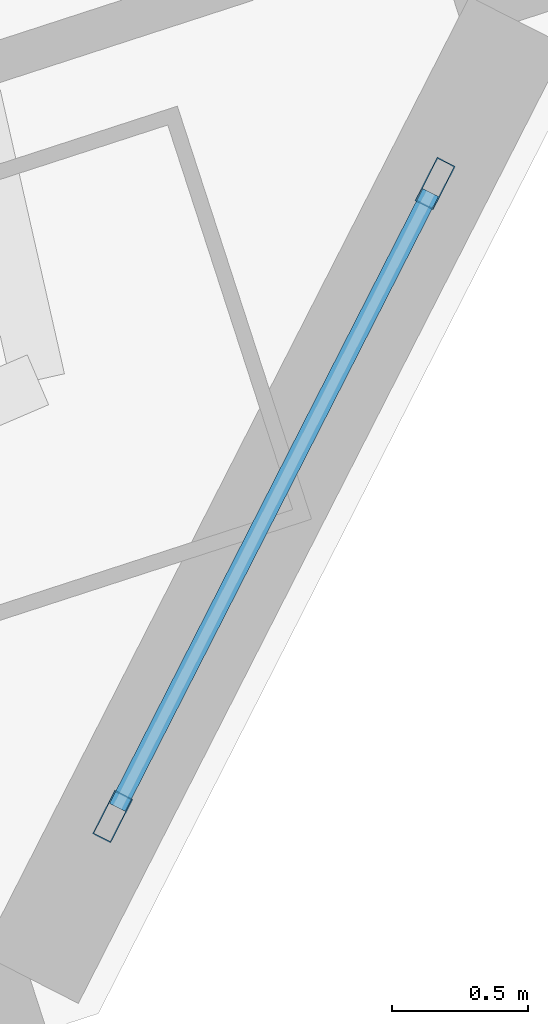
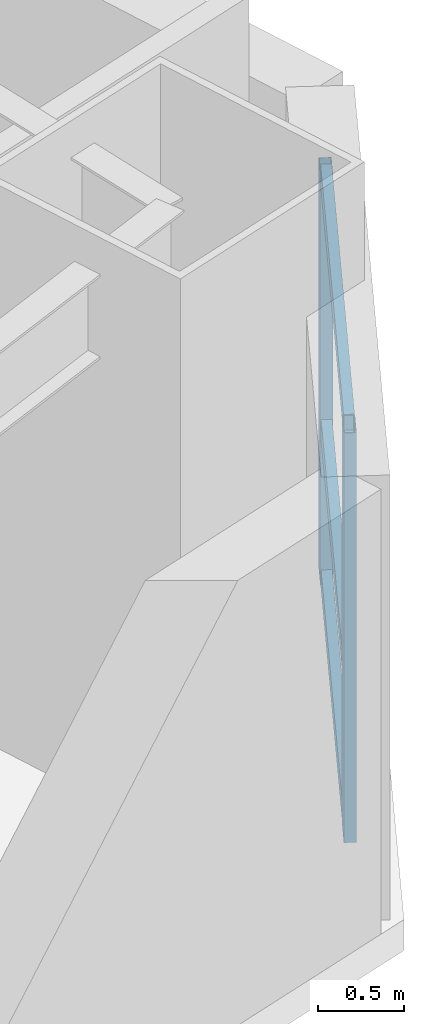
# One storey, part 8 of 24: 5 members, 1 element without a shape of its own.
"""IFC4 building model written with IfcOpenShell, lengths in metres."""

import ifcopenshell
import ifcopenshell.guid

model = None  # the IFC model being written
_history = None  # IfcOwnerHistory: only IFC2X3 demands one
_inside = {}  # id of a spatial element -> (the spatial element, [elements in it])
_under = {}  # id of a project, library or spatial element -> (it, [spatial elements below it])
_declared = {}  # id of a project -> (the project, [libraries it declares])
_typed = {}  # id of a type object -> (the type object, [elements of that type])
_made_of = {}  # id of a material, layer set ... -> (it, [elements and type objects made of it])


def new_model(schema):
    """Start an empty IFC model of exactly this schema.

    Asked for "IFC4X3", IfcOpenShell would pick the latest addendum, in which some entities
    have other attributes; the version numbers below select the first issue.
    IFC2X3 requires an IfcOwnerHistory on every rooted entity: one is made here for all.
    """
    global model, _history
    if schema == "IFC4X3":
        model = ifcopenshell.file(schema_version=(4, 3, 0, 0))
    else:
        model = ifcopenshell.file(schema=schema)
    _inside.clear()
    _under.clear()
    _declared.clear()
    _typed.clear()
    _made_of.clear()
    _history = None
    if model.schema == "IFC2X3":
        org = make("IfcOrganization", Name="unknown")
        user = make(
            "IfcPersonAndOrganization",
            ThePerson=make("IfcPerson", FamilyName="unknown"),
            TheOrganization=org,
        )
        app = make(
            "IfcApplication",
            ApplicationDeveloper=org,
            Version="unknown",
            ApplicationFullName="unknown",
            ApplicationIdentifier="unknown",
        )
        _history = make(
            "IfcOwnerHistory",
            OwningUser=user,
            OwningApplication=app,
            ChangeAction="ADDED",
            CreationDate=0,
        )
    return model


def make(cls, **values):
    """One entity of the class cls with the attributes given. An attribute that is None is left unset."""
    return model.create_entity(
        cls, **{name: value for name, value in values.items() if value is not None}
    )


def rooted(cls, **values):
    """An entity with a GlobalId (a new one), such as an element, a storey or a relation."""
    return make(cls, GlobalId=ifcopenshell.guid.new(), OwnerHistory=_history, **values)


def si_unit(unit_type, name, prefix=None):
    """IfcSIUnit, for example si_unit("LENGTHUNIT", "METRE", prefix="MILLI")."""
    return make("IfcSIUnit", UnitType=unit_type, Prefix=prefix, Name=name)


def assignment(units):
    """IfcUnitAssignment: the units of a project."""
    return None if units is None else make("IfcUnitAssignment", Units=units)


def point(xyz):
    """IfcCartesianPoint."""
    return None if xyz is None else make("IfcCartesianPoint", Coordinates=xyz)


def direction(xyz):
    """IfcDirection."""
    return None if xyz is None else make("IfcDirection", DirectionRatios=xyz)


def frame(location, z_axis=None, x_axis=None):
    """IfcAxis2Placement3D, a coordinate frame: its origin and axes. An axis left out is left unset."""
    return make(
        "IfcAxis2Placement3D",
        Location=point(location),
        Axis=direction(z_axis),
        RefDirection=direction(x_axis),
    )


def frame_2d(location, x_axis=None):
    """IfcAxis2Placement2D, a coordinate frame in the plane: its origin and x axis."""
    return make(
        "IfcAxis2Placement2D", Location=point(location), RefDirection=direction(x_axis)
    )


def origin():
    """The frame at (0, 0, 0) with its axes left unset."""
    return frame((0.0, 0.0, 0.0))


def origin_2d():
    """The frame at (0, 0) in the plane with its x axis left unset."""
    return frame_2d((0.0, 0.0))


def place(relative_to, where):
    """IfcLocalPlacement: puts the frame where relative to a parent placement (None: the world)."""
    return make(
        "IfcLocalPlacement", PlacementRelTo=relative_to, RelativePlacement=where
    )


def context(
    kind, dimensions, precision=None, world=None, true_north=None, identifier=None
):
    """IfcGeometricRepresentationContext, for example the 3D "Model" context."""
    return make(
        "IfcGeometricRepresentationContext",
        ContextIdentifier=identifier,
        ContextType=kind,
        CoordinateSpaceDimension=dimensions,
        Precision=precision,
        WorldCoordinateSystem=world,
        TrueNorth=true_north,
    )


def subcontext(parent, identifier, kind, view, scale=None):
    """IfcGeometricRepresentationSubContext, for example "Body" below "Model"."""
    return make(
        "IfcGeometricRepresentationSubContext",
        ContextIdentifier=identifier,
        ContextType=kind,
        ParentContext=parent,
        TargetScale=scale,
        TargetView=view,
    )


def project(units=None, contexts=None):
    """IfcProject with its units and contexts."""
    return rooted(
        "IfcProject",
        Name="project",
        RepresentationContexts=contexts,
        UnitsInContext=assignment(units),
    )


def spatial(cls, under=None, at=None, **own):
    """A site, building, storey or space (cls), placed at a placement, below another one or the project."""
    s = rooted(cls, ObjectPlacement=at, **own)
    if under is not None:
        _under.setdefault(under.id(), (under, []))[1].append(s)
    return s


def profile(cls, at=None, kind="AREA", **sizes):
    """A parametric profile (cls). Its sizes go by their IFC names, for example OverallWidth=200.0."""
    return make(cls, ProfileType=kind, Position=at, **sizes)


def hollow_rectangle(**sizes):
    """IfcRectangleHollowProfileDef."""
    return profile("IfcRectangleHollowProfileDef", **sizes)


def extrude(swept, where, along, depth):
    """IfcExtrudedAreaSolid: the profile swept, set in the frame where, extruded along a direction by depth."""
    return make(
        "IfcExtrudedAreaSolid",
        SweptArea=swept,
        Position=where,
        ExtrudedDirection=direction(along),
        Depth=depth,
    )


def shape(context_of_items, identifier, shape_type, items):
    """IfcShapeRepresentation: the items that make up one representation, for example the "Body"."""
    return make(
        "IfcShapeRepresentation",
        ContextOfItems=context_of_items,
        RepresentationIdentifier=identifier,
        RepresentationType=shape_type,
        Items=items,
    )


def material(Name=None, Category=None):
    """IfcMaterial."""
    return make("IfcMaterial", Name=Name, Category=Category)


def layer(
    of_material, thickness, ventilated=None, Name=None, Category=None, Priority=None
):
    """IfcMaterialLayer: one layer of a wall or slab, of a material (None: an air gap)."""
    return make(
        "IfcMaterialLayer",
        Material=of_material,
        LayerThickness=thickness,
        IsVentilated=ventilated,
        Name=Name,
        Category=Category,
        Priority=Priority,
    )


def layer_set(layers, Name=None):
    """IfcMaterialLayerSet."""
    return make("IfcMaterialLayerSet", MaterialLayers=layers, LayerSetName=Name)


def material_profile(
    of_material, cross_section, Name=None, Category=None, Priority=None
):
    """IfcMaterialProfile: a cross section and its material."""
    return make(
        "IfcMaterialProfile",
        Name=Name,
        Material=of_material,
        Profile=cross_section,
        Priority=Priority,
        Category=Category,
    )


def profile_set(profiles, Name=None, composite=None):
    """IfcMaterialProfileSet."""
    return make(
        "IfcMaterialProfileSet",
        Name=Name,
        MaterialProfiles=profiles,
        CompositeProfile=composite,
    )


def made_of(thing, what):
    """Note that an element or type object is made of a material, layer set ...; save() writes the relation."""
    if what is not None:
        _made_of.setdefault(what.id(), (what, []))[1].append(thing)
    return thing


def type_object(cls, material=None, **own):
    """A type object (cls), such as IfcWallType, which elements share."""
    return made_of(rooted(cls, **own), material)


def element(
    cls,
    number,
    at=None,
    inside=None,
    cuts=None,
    type_object=None,
    material=None,
    context=None,
    identifier="Body",
    shape_type=None,
    held_by="IfcProductDefinitionShape",
    body=None,
    shapes=None,
    **own,
):
    """One element of the class cls, such as IfcWall. Its Tag is "e" and its number.

    at: its placement. inside: the storey or other place that contains it. cuts: it is an
    opening in that element (IfcRelVoidsElement). A single representation is given by context,
    identifier, shape_type and body (its items); several are given by shapes. held_by: the class
    of the entity that holds the representations. save() writes the other relations.
    """
    e = rooted(cls, Tag="e%d" % number, ObjectPlacement=at, **own)
    if body is not None:
        shapes = [shape(context, identifier, shape_type, body)]
    if shapes is not None:
        e.Representation = make(held_by, Representations=shapes)
    if inside is not None:
        _inside.setdefault(inside.id(), (inside, []))[1].append(e)
    if cuts is not None:
        rooted(
            "IfcRelVoidsElement", RelatingBuildingElement=cuts, RelatedOpeningElement=e
        )
    if type_object is not None:
        _typed.setdefault(type_object.id(), (type_object, []))[1].append(e)
    return made_of(e, material)


def aggregate(whole, parts):
    """IfcRelAggregates: a whole, such as a stair, and the parts it consists of."""
    return rooted("IfcRelAggregates", RelatingObject=whole, RelatedObjects=parts)


def save(model, path):
    """Write the relations noted so far, then the file.

    IfcRelAggregates (storeys below a building ...), IfcRelContainedInSpatialStructure (elements
    in a storey), IfcRelDefinesByType, IfcRelAssociatesMaterial and IfcRelDeclares: one each for
    every whole, place, type object, material and project.
    """
    for whole, parts in _under.values():
        aggregate(whole, parts)
    for where, things in _inside.values():
        rooted(
            "IfcRelContainedInSpatialStructure",
            RelatedElements=things,
            RelatingStructure=where,
        )
    for kind, things in _typed.values():
        rooted("IfcRelDefinesByType", RelatedObjects=things, RelatingType=kind)
    for what, things in _made_of.values():
        rooted("IfcRelAssociatesMaterial", RelatedObjects=things, RelatingMaterial=what)
    for by, libraries in _declared.values():
        rooted("IfcRelDeclares", RelatingContext=by, RelatedDefinitions=libraries)
    model.write(path)


model = new_model("IFC4")

# Units and contexts
model_context = context("Model", 3, precision=1e-05, world=origin(), true_north=direction((0.0, 1.0)))
body_context = subcontext(model_context, "Body", "Model", "MODEL_VIEW")
ifc_project = project(units=[si_unit("LENGTHUNIT", "METRE"), si_unit("AREAUNIT", "SQUARE_METRE"), si_unit("VOLUMEUNIT", "CUBIC_METRE"), si_unit("PLANEANGLEUNIT", "RADIAN"), si_unit("MASSUNIT", "GRAM", prefix="KILO")], contexts=[model_context])

# Site, building, storey
site_placement = place(None, origin())
site = spatial("IfcSite", under=ifc_project, at=site_placement, CompositionType="ELEMENT")
building_placement = place(site_placement, origin())
building = spatial("IfcBuilding", under=site, at=building_placement, Name="Qiaolan Cultural Towers", CompositionType="ELEMENT")
storey_placement = place(building_placement, frame((0.0, 0.0, 30.0)))
storey = spatial("IfcBuildingStorey", under=building, at=storey_placement, Name="L06", CompositionType="ELEMENT", Elevation=30.0)

# Curtain wall, members
ifc_material_1 = material(Name="Unitized Anodized Aluminium Curtain Wall System", Category="aluminium")
ifc_layer = layer(ifc_material_1, 0.199951171875)
ifc_layer_set = layer_set([ifc_layer], Name="Unitized Anodized Aluminium Curtain Wall System")
curtain_wall_type = type_object("IfcCurtainWallType", Name="CWS-02", PredefinedType="NOTDEFINED", material=ifc_layer_set)
curtain_wall_placement = place(storey_placement, origin())
curtain_wall = element("IfcCurtainWall", 1, at=curtain_wall_placement, inside=storey, type_object=curtain_wall_type, Name="L06 T2 Chamfer Wind-Corner Feature Curtain Wall 2", PredefinedType="NOTDEFINED")
ifc_material_2 = material(Name="Extruded Aluminium 6063-T6", Category="aluminium")
ifc_material_profile_1 = material_profile(ifc_material_2, hollow_rectangle(XDim=0.074951171875, YDim=0.179931640625, WallThickness=0.00390625, at=origin_2d()), Name="CWM-180x75x4")
ifc_profile_set_1 = profile_set([ifc_material_profile_1], Name="Extruded Aluminium 6063-T6")
member_type_1 = type_object("IfcMemberType", Name="CWS-02-MUL", PredefinedType="MULLION", material=ifc_profile_set_1)
member_1_placement = place(storey_placement, frame((115.49072265625, 15.4970703125, 0.14990234375), z_axis=(0.0, 0.0, 1.0), x_axis=(0.89100656444, -0.45399042074, 0.0)))
member_1 = element("IfcMember", 2, at=member_1_placement, type_object=member_type_1, Name="CW-2 mullion 1", PredefinedType="MULLION", context=body_context, shape_type="SweptSolid", body=[
    extrude(hollow_rectangle(XDim=0.074951171875, YDim=0.179931640625, WallThickness=0.00390625, at=origin_2d()), origin(), (0.0, 0.0, 1.0), 2.91015625),
])
member_2_placement = place(storey_placement, frame((114.302490234375, 13.16455078125, 0.14990234375), z_axis=(0.0, 0.0, 1.0), x_axis=(0.89100656444, -0.45399042074, 0.0)))
member_2 = element("IfcMember", 3, at=member_2_placement, type_object=member_type_1, Name="CW-2 mullion 2", PredefinedType="MULLION", context=body_context, shape_type="SweptSolid", body=[
    extrude(hollow_rectangle(XDim=0.074951171875, YDim=0.179931640625, WallThickness=0.00390625, at=origin_2d()), origin(), (0.0, 0.0, 1.0), 2.91015625),
])
ifc_material_3 = material(Name="Extruded Aluminium 6063-T6", Category="aluminium")
ifc_material_profile_2 = material_profile(ifc_material_3, hollow_rectangle(XDim=0.06494140625, YDim=0.14990234375, WallThickness=0.00390625, at=origin_2d()), Name="CWT-150x65x4")
ifc_profile_set_2 = profile_set([ifc_material_profile_2], Name="Extruded Aluminium 6063-T6")
member_type_2 = type_object("IfcMemberType", Name="CWS-02-TRN", PredefinedType="USERDEFINED", material=ifc_profile_set_2)
member_3_placement = place(storey_placement, frame((115.473876953125, 15.463623046875, 0.1826171875), z_axis=(-0.453960300991, -0.891021910575, 0.0), x_axis=(0.891021910575, -0.453960300991, 0.0)))
member_3 = element("IfcMember", 4, at=member_3_placement, type_object=member_type_2, Name="CW-2 transom 1.1", ObjectType="TRANSOM", PredefinedType="USERDEFINED", context=body_context, shape_type="SweptSolid", body=[
    extrude(hollow_rectangle(XDim=0.06494140625, YDim=0.14990234375, WallThickness=0.00390625, at=origin_2d()), origin(), (0.0, 0.0, 1.0), 2.542724609375),
])
member_4_placement = place(storey_placement, frame((115.473876953125, 15.463623046875, 1.25), z_axis=(-0.453960300991, -0.891021910575, 0.0), x_axis=(0.891021910575, -0.453960300991, 0.0)))
member_4 = element("IfcMember", 5, at=member_4_placement, type_object=member_type_2, Name="CW-2 transom 1.2", ObjectType="TRANSOM", PredefinedType="USERDEFINED", context=body_context, shape_type="SweptSolid", body=[
    extrude(hollow_rectangle(XDim=0.06494140625, YDim=0.14990234375, WallThickness=0.00390625, at=origin_2d()), origin(), (0.0, 0.0, 1.0), 2.542724609375),
])
member_5_placement = place(storey_placement, frame((115.473876953125, 15.463623046875, 3.027587890625), z_axis=(-0.453960300991, -0.891021910575, 0.0), x_axis=(0.891021910575, -0.453960300991, 0.0)))
member_5 = element("IfcMember", 6, at=member_5_placement, type_object=member_type_2, Name="CW-2 transom 1.3", ObjectType="TRANSOM", PredefinedType="USERDEFINED", context=body_context, shape_type="SweptSolid", body=[
    extrude(hollow_rectangle(XDim=0.06494140625, YDim=0.14990234375, WallThickness=0.00390625, at=origin_2d()), origin(), (0.0, 0.0, 1.0), 2.542724609375),
])
aggregate(curtain_wall, [member_1, member_2, member_3, member_4, member_5])

save(model, "model.ifc")
